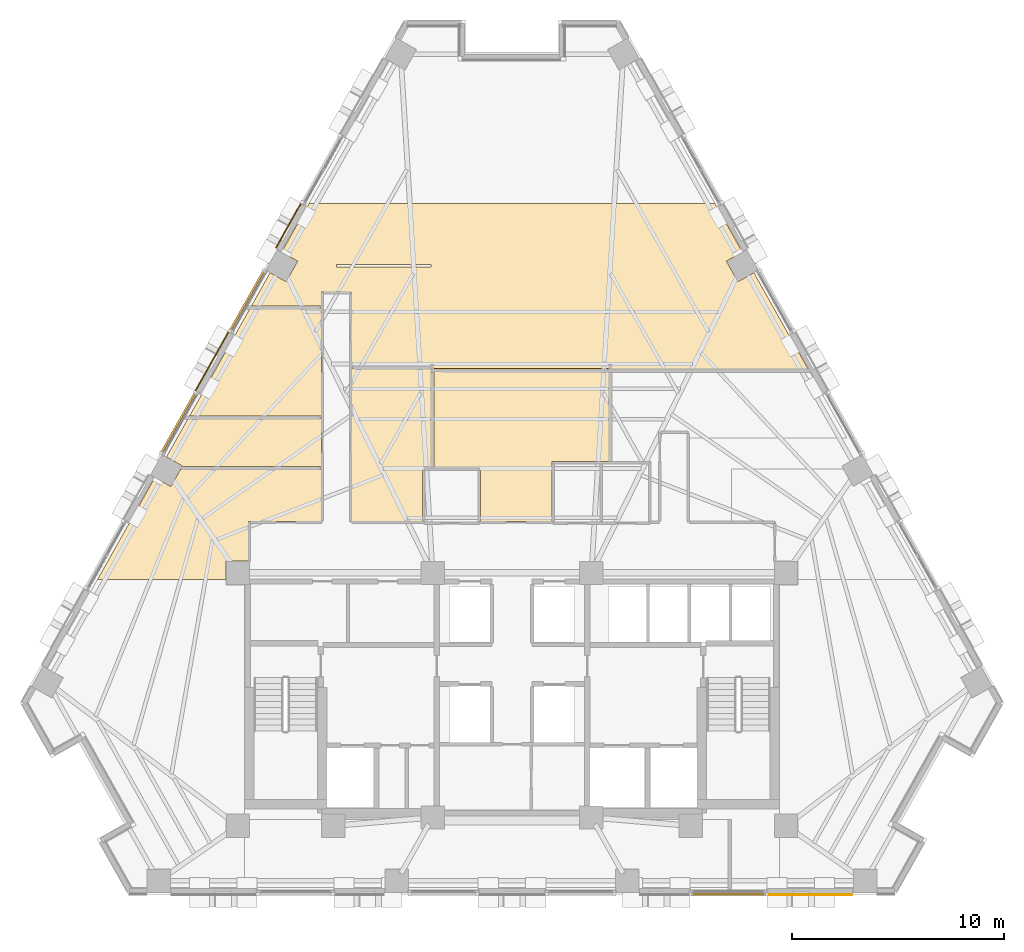
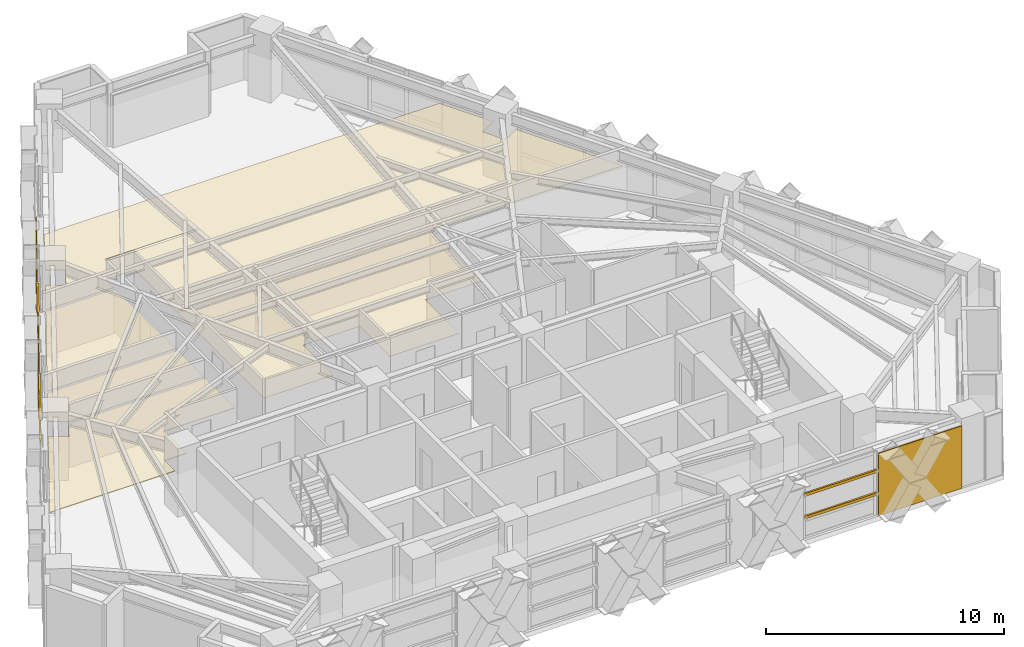
# One storey, part 12 of 14: 9 coverings, 6 shading devices.
"""IFC4 building model written with IfcOpenShell, lengths in metres."""

from ifc_helpers import new_model, si_unit, direction, frame, origin, origin_2d, place, context, subcontext, project, spatial, polyline, rectangle, outline, extrude, material, layer, layer_set, material_profile, profile_set, type_object, element, save


model = new_model("IFC4")

# Units and contexts
model_context = context("Model", 3, precision=1e-05, world=origin(), true_north=direction((0.0, 1.0)))
body_context = subcontext(model_context, "Body", "Model", "MODEL_VIEW")
ifc_project = project(units=[si_unit("LENGTHUNIT", "METRE"), si_unit("AREAUNIT", "SQUARE_METRE"), si_unit("VOLUMEUNIT", "CUBIC_METRE"), si_unit("PLANEANGLEUNIT", "RADIAN"), si_unit("MASSUNIT", "GRAM", prefix="KILO")], contexts=[model_context])

# Site, building, storey
site_placement = place(None, origin())
site = spatial("IfcSite", under=ifc_project, at=site_placement, CompositionType="ELEMENT")
building_placement = place(site_placement, origin())
building = spatial("IfcBuilding", under=site, at=building_placement, Name="Quenlor Broadcast Tower", CompositionType="ELEMENT")
storey_placement = place(building_placement, frame((0.0, 0.0, 123.0)))
storey = spatial("IfcBuildingStorey", under=building, at=storey_placement, Name="L33", CompositionType="ELEMENT", Elevation=123.0)

# Coverings
ifc_material_1 = material(Name="Acoustic Mineral Fibre Board", Category="other")
ifc_layer_1 = layer(ifc_material_1, 0.02490234375)
ifc_layer_set_1 = layer_set([ifc_layer_1], Name="Acoustic Perforated Mineral Tile Ceiling 25")
covering_type_1 = type_object("IfcCoveringType", Name="Acoustic Perforated Mineral Tile Ceiling 25", PredefinedType="CEILING", material=ifc_layer_set_1)
covering_1_placement = place(storey_placement, frame((0.0, 0.0, 2.22509765625)))
element("IfcCovering", 1, at=covering_1_placement, inside=storey, type_object=covering_type_1, Name="L33 Acoustic Ceiling L33-29", PredefinedType="CEILING", context=body_context, shape_type="SweptSolid", body=[
    extrude(outline(polyline([(-3.775146484375, 4.864013671875), (-3.7958984375, 4.884765625), (-3.812255859375, 4.9091796875), (-3.823486328125, 4.9365234375), (-3.829345703125, 4.96533203125), (-7.60009765625, 4.97998046875), (-7.60009765625, 8.47998046875), (-9.0, 8.47998046875), (-9.0, 7.81005859375), (-12.31689453125, 7.81005859375), (-11.4306640625, 9.38525390625), (-10.674072265625, 8.959716796875), (-10.126953125, 9.9326171875), (-10.883544921875, 10.35791015625), (-9.59423828125, 12.64990234375), (9.59423828125, 12.64990234375), (10.883544921875, 10.35791015625), (10.126953125, 9.9326171875), (10.674072265625, 8.959716796875), (11.4306640625, 9.38525390625), (13.982177734375, 4.849365234375), (13.966552734375, 4.841796875), (13.938232421875, 4.8330078125), (13.90869140625, 4.830078125), (4.719970703125, 4.830078125), (4.690673828125, 4.8330078125), (4.66259765625, 4.84130859375), (4.6435546875, 4.83642578125), (4.61474609375, 4.830810546875), (-3.679931640625, 4.830078125), (-3.723388671875, 4.83642578125), (-3.750732421875, 4.84765625), (-3.775146484375, 4.864013671875)]), holes=[polyline([(-3.823486328125, 9.736572265625), (-3.829345703125, 9.765380859375), (-8.300048828125, 9.780029296875), (-8.300048828125, 9.659912109375), (-3.830078125, 9.659912109375), (-3.823486328125, 9.70361328125), (-3.8173828125, 9.719970703125), (-3.823486328125, 9.736572265625)])]), origin(), (0.0, 0.0, 1.0), 0.02490234375),
])
covering_2_placement = place(storey_placement, frame((0.0, 0.0, 2.22509765625)))
element("IfcCovering", 2, at=covering_2_placement, inside=storey, type_object=covering_type_1, Name="L33 Acoustic Ceiling L33-30", PredefinedType="CEILING", context=body_context, shape_type="SweptSolid", body=[
    extrude(outline(polyline([(-15.24169921875, 2.610107421875), (-12.38427734375, 7.68994140625), (-9.0, 7.68994140625), (-9.0, 2.610107421875), (-15.24169921875, 2.610107421875)])), origin(), (0.0, 0.0, 1.0), 0.02490234375),
])
covering_3_placement = place(storey_placement, frame((0.0, 0.0, 2.22509765625)))
element("IfcCovering", 3, at=covering_3_placement, inside=storey, type_object=covering_type_1, Name="L33 Acoustic Ceiling L33-32", PredefinedType="CEILING", context=body_context, shape_type="SweptSolid", body=[
    extrude(outline(polyline([(-1.47998046875, 0.169921875), (-3.679931640625, 0.169921875), (-3.679931640625, 4.860107421875), (4.60009765625, 4.860107421875), (4.60009765625, 0.469970703125), (1.8798828125, 0.469970703125), (1.8798828125, -2.3701171875), (-1.47998046875, -2.3701171875), (-1.47998046875, 0.169921875)])), origin(), (0.0, 0.0, 1.0), 0.02490234375),
])
covering_4_placement = place(storey_placement, frame((0.0, 0.0, 2.22509765625)))
element("IfcCovering", 4, at=covering_4_placement, inside=storey, type_object=covering_type_1, Name="L33 Acoustic Ceiling L33-33", PredefinedType="CEILING", context=body_context, shape_type="SweptSolid", body=[
    extrude(outline(polyline([(-15.58203125, 0.234619140625), (-15.5703125, 0.255615234375), (-16.32666015625, 0.68115234375), (-15.309326171875, 2.489990234375), (-9.0, 2.489990234375), (-9.0, 0.234619140625), (-15.58203125, 0.234619140625)])), origin(), (0.0, 0.0, 1.0), 0.02490234375),
])
covering_5_placement = place(storey_placement, frame((0.0, 0.0, 2.22509765625)))
element("IfcCovering", 5, at=covering_5_placement, inside=storey, type_object=covering_type_1, Name="L33 Acoustic Ceiling L33-34", PredefinedType="CEILING", context=body_context, shape_type="SweptSolid", body=[
    extrude(outline(polyline([(-7.60009765625, 4.860107421875), (-3.800048828125, 4.860107421875), (-3.800048828125, 0.169921875), (-4.219970703125, 0.169921875), (-4.219970703125, -2.3701171875), (-7.60009765625, -2.3701171875), (-7.60009765625, 4.860107421875)])), origin(), (0.0, 0.0, 1.0), 0.02490234375),
])
ifc_material_2 = material(Name="Acoustic Gypsum Board", Category="other")
ifc_layer_2 = layer(ifc_material_2, 0.0400390625)
ifc_layer_set_2 = layer_set([ifc_layer_2], Name="Broadcast Studio Spring Isolated Ceiling 40")
covering_type_2 = type_object("IfcCoveringType", Name="Broadcast Studio Spring Isolated Ceiling 40", PredefinedType="CEILING", material=ifc_layer_set_2)
covering_6_placement = place(storey_placement, frame((0.0, 0.0, 2.2099609375)))
element("IfcCovering", 6, at=covering_6_placement, inside=storey, type_object=covering_type_2, Name="L33 Acoustic Ceiling L33-36", PredefinedType="CEILING", context=body_context, shape_type="SweptSolid", body=[
    extrude(outline(polyline([(-16.873779296875, -0.29150390625), (-16.1171875, -0.717041015625), (-15.6494140625, 0.11474609375), (-9.0, 0.11474609375), (-9.0, -2.3701171875), (-12.43994140625, -2.3701171875), (-12.43994140625, -4.241943359375), (-13.508056640625, -4.241943359375), (-13.508056640625, -5.1201171875), (-19.58984375, -5.1201171875), (-16.873779296875, -0.29150390625)])), origin(), (0.0, 0.0, 1.0), 0.0400390625),
])

# Shading devices
ifc_material_3 = material(Name="Architectural Terracotta Ceramic", Category="masonry")
ifc_material_profile = material_profile(ifc_material_3, rectangle(XDim=0.090087890625, YDim=0.139892578125, at=origin_2d()))
ifc_profile_set = profile_set([ifc_material_profile], Name="Architectural Terracotta Ceramic BAG90x140")
shading_device_type = type_object("IfcShadingDeviceType", Name="Copper Terracotta Baguette Solar Screen 140", PredefinedType="USERDEFINED", material=ifc_profile_set)
for number, where, z_axis, x_axis, name in (
    (7, (11.981689453125, -19.972900390625, 1.169921875), (-1.0, 0.0, 0.0), (0.0, -1.0, 0.0), "L33 Terracotta Baguette Screen 1"),
    (8, (11.981689453125, -19.972900390625, 2.340087890625), (-1.0, 0.0, 0.0), (0.0, -1.0, 0.0), "L33 Terracotta Baguette Screen 2"),
):
    element("IfcShadingDevice", number, at=place(storey_placement, frame(where, z_axis=z_axis, x_axis=x_axis)), inside=storey, type_object=shading_device_type, Name=name, ObjectType="BAGUETTE", PredefinedType="USERDEFINED", context=body_context, shape_type="SweptSolid", body=[
        extrude(rectangle(XDim=0.090087890625, YDim=0.139892578125, at=origin_2d()), origin(), (0.0, 0.0, 1.0), 3.510498046875),
    ])
for number, where, z_axis, x_axis, name in (
    (9, (-16.5751953125, 0.8779296875, 1.169921875), (0.490254145389, 0.871579527599, 0.0), (-0.871579527599, 0.490254145389, 0.0), "L33 Terracotta Baguette Screen 1"),
    (10, (-16.5751953125, 0.8779296875, 2.340087890625), (0.490254145389, 0.871579527599, 0.0), (-0.871579527599, 0.490254145389, 0.0), "L33 Terracotta Baguette Screen 2"),
    (11, (-13.32958984375, 6.6474609375, 1.169921875), (0.490254145389, 0.871579527599, 0.0), (-0.871579527599, 0.490254145389, 0.0), "L33 Terracotta Baguette Screen 1"),
    (12, (-13.32958984375, 6.6474609375, 2.340087890625), (0.490254145389, 0.871579527599, 0.0), (-0.871579527599, 0.490254145389, 0.0), "L33 Terracotta Baguette Screen 2"),
):
    element("IfcShadingDevice", number, at=place(storey_placement, frame(where, z_axis=z_axis, x_axis=x_axis)), inside=storey, type_object=shading_device_type, Name=name, ObjectType="BAGUETTE", PredefinedType="USERDEFINED", context=body_context, shape_type="SweptSolid", body=[
        extrude(rectangle(XDim=0.090087890625, YDim=0.139892578125, at=origin_2d()), origin(), (0.0, 0.0, 1.0), 3.267822265625),
    ])

# Coverings
ifc_material_4 = material(Name="Architectural Terracotta Ceramic", Category="masonry")
ifc_layer_3 = layer(ifc_material_4, 0.044921875)
ifc_layer_set_3 = layer_set([ifc_layer_3], Name="Fluted Terracotta Rainscreen Cladding Panel")
covering_type_3 = type_object("IfcCoveringType", Name="Fluted Terracotta Rainscreen Cladding Panel", PredefinedType="CLADDING", material=ifc_layer_set_3)
covering_7_placement = place(storey_placement, frame((0.0, 0.0, 0.02001953125)))
element("IfcCovering", 13, at=covering_7_placement, inside=storey, type_object=covering_type_3, Name="L33 Terracotta Rainscreen Cladding L33-SA-SP1", PredefinedType="CLADDING", context=body_context, shape_type="SweptSolid", body=[
    extrude(outline(polyline([(16.08740234375, -19.971923828125), (12.04931640625, -19.971923828125), (12.04931640625, -20.01708984375), (16.08740234375, -20.01708984375), (16.08740234375, -19.971923828125)])), origin(), (0.0, 0.0, 1.0), 3.2099609375),
])
covering_8_placement = place(storey_placement, frame((0.0, 0.0, 0.02001953125)))
element("IfcCovering", 14, at=covering_8_placement, inside=storey, type_object=covering_type_3, Name="L33 Terracotta Rainscreen Cladding L33-NWC-SP1", PredefinedType="CLADDING", context=body_context, shape_type="SweptSolid", body=[
    extrude(outline(polyline([(-11.13232421875, 10.552001953125), (-9.948974609375, 12.656005859375), (-9.98828125, 12.677978515625), (-11.171630859375, 10.57421875), (-11.13232421875, 10.552001953125)])), origin(), (0.0, 0.0, 1.0), 3.2099609375),
])
covering_9_placement = place(storey_placement, frame((0.0, 0.0, 0.02001953125)))
element("IfcCovering", 15, at=covering_9_placement, inside=storey, type_object=covering_type_3, Name="L33 Terracotta Rainscreen Cladding L33-NW-SP1", PredefinedType="CLADDING", context=body_context, shape_type="SweptSolid", body=[
    extrude(outline(polyline([(-14.939208984375, 3.784423828125), (-13.362060546875, 6.588134765625), (-13.401123046875, 6.610107421875), (-14.978515625, 3.806396484375), (-14.939208984375, 3.784423828125)])), origin(), (0.0, 0.0, 1.0), 3.2099609375),
])

save(model, "model.ifc")
